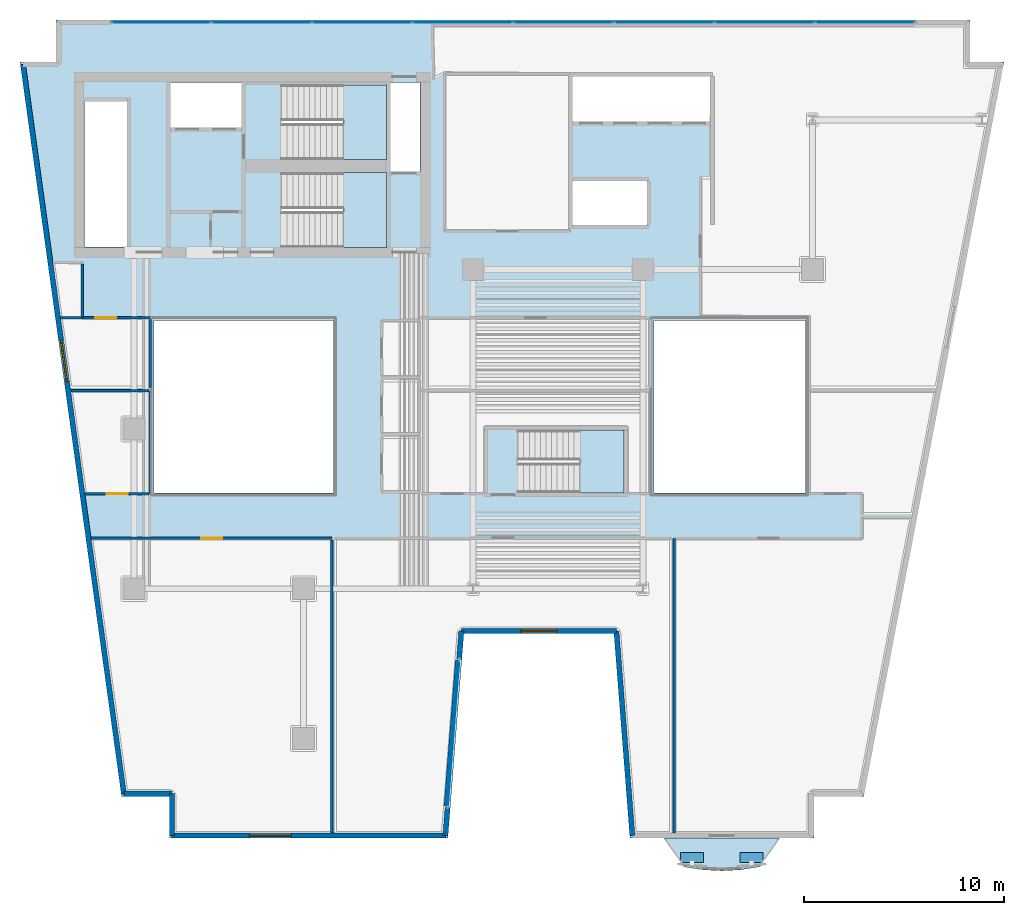
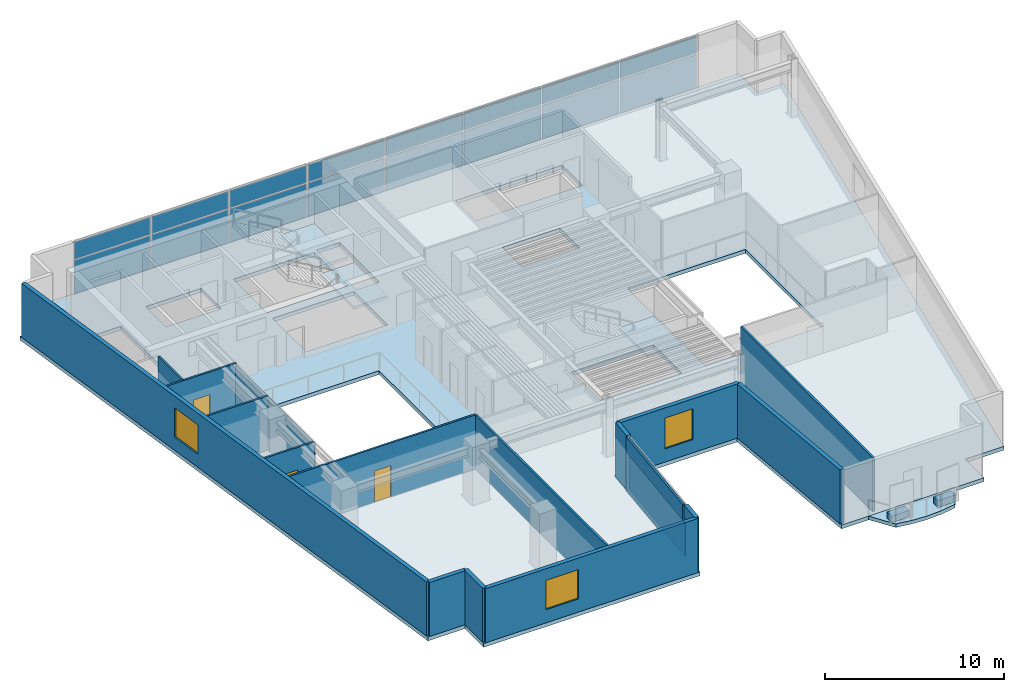
# One storey, part 5 of 13: 20 plates, 18 walls, 5 slabs, 3 doors, 3 windows, 6 openings, 5 elements without a shape of their own.
"""IFC4 building model written with IfcOpenShell, lengths in metres."""

from ifc_helpers import new_model, si_unit, direction, frame, frame_2d, origin, origin_2d, place, context, subcontext, project, spatial, polyline, rectangle, outline, extrude, material, layer, layer_set, type_object, element, fill, aggregate, save


model = new_model("IFC4")

# Units and contexts
model_context = context("Model", 3, precision=1e-05, world=origin(), true_north=direction((0.0, 1.0)))
body_context = subcontext(model_context, "Body", "Model", "MODEL_VIEW")
ifc_project = project(units=[si_unit("LENGTHUNIT", "METRE"), si_unit("AREAUNIT", "SQUARE_METRE"), si_unit("VOLUMEUNIT", "CUBIC_METRE"), si_unit("PLANEANGLEUNIT", "RADIAN"), si_unit("MASSUNIT", "GRAM", prefix="KILO")], contexts=[model_context])

# Site, building, storey
site_placement = place(None, origin())
site = spatial("IfcSite", under=ifc_project, at=site_placement, CompositionType="ELEMENT")
building_placement = place(site_placement, origin())
building = spatial("IfcBuilding", under=site, at=building_placement, Name="Caeloran Harvest Quay", CompositionType="ELEMENT")
storey_placement = place(building_placement, frame((0.0, 0.0, 143.0)))
storey = spatial("IfcBuildingStorey", under=building, at=storey_placement, Name="L33", CompositionType="ELEMENT", Elevation=143.0)

# Slab
ifc_material_1 = material(Name="Concrete C50/60", Category="concrete")
ifc_layer_1 = layer(ifc_material_1, 0.239990234375, Name="Concrete C50/60")
ifc_layer_set_1 = layer_set([ifc_layer_1], Name="Concrete C50/60")
slab_type_1 = type_object("IfcSlabType", Name="BALCONY-BL-240", PredefinedType="FLOOR", material=ifc_layer_set_1)
slab_1_placement = place(storey_placement, frame((0.0, 0.0, -0.239990234375)))
element("IfcSlab", 1, at=slab_1_placement, inside=storey, type_object=slab_type_1, Name="L33 Scalloped Cantilevered Planted Balcony Slab", PredefinedType="FLOOR", context=body_context, shape_type="SweptSolid", body=[
    extrude(outline(polyline([(39.869873046875, 1.070556640625), (38.913818359375, 0.9169921875), (37.95751953125, 0.861083984375), (37.001220703125, 0.9169921875), (36.045166015625, 1.070556640625), (35.102294921875, 2.5), (40.812744140625, 2.5), (39.869873046875, 1.070556640625)])), origin(), (0.0, 0.0, 1.0), 0.239990234375),
])

# Curtain wall, plates
ifc_material_2 = material(Name="Aluminium 6063-T6 and Low-E Glazing", Category="aluminium")
ifc_layer_2 = layer(ifc_material_2, 0.18994140625, Name="Aluminium 6063-T6 and Low-E Glazing")
ifc_layer_set_2 = layer_set([ifc_layer_2], Name="Aluminium 6063-T6 and Low-E Glazing")
curtain_wall_type = type_object("IfcCurtainWallType", Name="CW-SYS-CW-3", PredefinedType="USERDEFINED", material=ifc_layer_set_2)
curtain_wall_1_placement = place(storey_placement, origin())
curtain_wall_1 = element("IfcCurtainWall", 2, at=curtain_wall_1_placement, inside=storey, type_object=curtain_wall_type, Name="L33 Unitised Curtain Wall CW-3 Run 6", ObjectType="CURTAIN_WALL", PredefinedType="USERDEFINED")
ifc_material_3 = material(Name="Low-E Double Glazed Vision Glass Unit", Category="glass")
ifc_layer_3 = layer(ifc_material_3, 0.035888671875, Name="Low-E Double Glazed Vision Glass Unit")
ifc_layer_set_3 = layer_set([ifc_layer_3], Name="Low-E Double Glazed Vision Glass Unit")
plate_type_1 = type_object("IfcPlateType", Name="CW-VISION-PANEL", PredefinedType="CURTAIN_PANEL", material=ifc_layer_set_3)
plate_1_placement = place(storey_placement, frame((9.871337890625, 43.3701171875, 0.080078125), z_axis=(0.0, 0.0, 1.0), x_axis=(1.0, 0.0, 0.0)))
plate_1 = element("IfcPlate", 3, at=plate_1_placement, type_object=plate_type_1, Name="CW-3 panel 1.1", PredefinedType="CURTAIN_PANEL", context=body_context, shape_type="SweptSolid", body=[
    extrude(rectangle(XDim=4.922607421875, YDim=0.035888671875, at=origin_2d()), origin(), (0.0, 0.0, 1.0), 2.280029296875),
])
plate_2_placement = place(storey_placement, frame((9.871337890625, 43.3701171875, 2.43994140625), z_axis=(0.0, 0.0, 1.0), x_axis=(1.0, 0.0, 0.0)))
plate_2 = element("IfcPlate", 4, at=plate_2_placement, type_object=plate_type_1, Name="CW-3 panel 1.2", PredefinedType="CURTAIN_PANEL", context=body_context, shape_type="SweptSolid", body=[
    extrude(rectangle(XDim=4.922607421875, YDim=0.035888671875, at=origin_2d()), origin(), (0.0, 0.0, 1.0), 1.169921875),
])
plate_3_placement = place(storey_placement, frame((14.893798828125, 43.3701171875, 0.080078125), z_axis=(0.0, 0.0, 1.0), x_axis=(1.0, 0.0, 0.0)))
plate_3 = element("IfcPlate", 5, at=plate_3_placement, type_object=plate_type_1, Name="CW-3 panel 2.1", PredefinedType="CURTAIN_PANEL", context=body_context, shape_type="SweptSolid", body=[
    extrude(rectangle(XDim=4.96240234375, YDim=0.035888671875, at=origin_2d()), origin(), (0.0, 0.0, 1.0), 2.280029296875),
])
plate_4_placement = place(storey_placement, frame((14.893798828125, 43.3701171875, 2.43994140625), z_axis=(0.0, 0.0, 1.0), x_axis=(1.0, 0.0, 0.0)))
plate_4 = element("IfcPlate", 6, at=plate_4_placement, type_object=plate_type_1, Name="CW-3 panel 2.2", PredefinedType="CURTAIN_PANEL", context=body_context, shape_type="SweptSolid", body=[
    extrude(rectangle(XDim=4.96240234375, YDim=0.035888671875, at=origin_2d()), origin(), (0.0, 0.0, 1.0), 1.169921875),
])
plate_5_placement = place(storey_placement, frame((19.936279296875, 43.3701171875, 0.080078125), z_axis=(0.0, 0.0, 1.0), x_axis=(1.0, 0.0, 0.0)))
plate_5 = element("IfcPlate", 7, at=plate_5_placement, type_object=plate_type_1, Name="CW-3 panel 3.1", PredefinedType="CURTAIN_PANEL", context=body_context, shape_type="SweptSolid", body=[
    extrude(rectangle(XDim=4.96240234375, YDim=0.035888671875, at=origin_2d()), origin(), (0.0, 0.0, 1.0), 2.280029296875),
])
plate_6_placement = place(storey_placement, frame((19.936279296875, 43.3701171875, 2.43994140625), z_axis=(0.0, 0.0, 1.0), x_axis=(1.0, 0.0, 0.0)))
plate_6 = element("IfcPlate", 8, at=plate_6_placement, type_object=plate_type_1, Name="CW-3 panel 3.2", PredefinedType="CURTAIN_PANEL", context=body_context, shape_type="SweptSolid", body=[
    extrude(rectangle(XDim=4.96240234375, YDim=0.035888671875, at=origin_2d()), origin(), (0.0, 0.0, 1.0), 1.169921875),
])
plate_7_placement = place(storey_placement, frame((24.978759765625, 43.3701171875, 0.080078125), z_axis=(0.0, 0.0, 1.0), x_axis=(1.0, 0.0, 0.0)))
plate_7 = element("IfcPlate", 9, at=plate_7_placement, type_object=plate_type_1, Name="CW-3 panel 4.1", PredefinedType="CURTAIN_PANEL", context=body_context, shape_type="SweptSolid", body=[
    extrude(rectangle(XDim=4.96240234375, YDim=0.035888671875, at=origin_2d()), origin(), (0.0, 0.0, 1.0), 2.280029296875),
])
plate_8_placement = place(storey_placement, frame((24.978759765625, 43.3701171875, 2.43994140625), z_axis=(0.0, 0.0, 1.0), x_axis=(1.0, 0.0, 0.0)))
plate_8 = element("IfcPlate", 10, at=plate_8_placement, type_object=plate_type_1, Name="CW-3 panel 4.2", PredefinedType="CURTAIN_PANEL", context=body_context, shape_type="SweptSolid", body=[
    extrude(rectangle(XDim=4.96240234375, YDim=0.035888671875, at=origin_2d()), origin(), (0.0, 0.0, 1.0), 1.169921875),
])
plate_9_placement = place(storey_placement, frame((30.021240234375, 43.3701171875, 0.080078125), z_axis=(0.0, 0.0, 1.0), x_axis=(1.0, 0.0, 0.0)))
plate_9 = element("IfcPlate", 11, at=plate_9_placement, type_object=plate_type_1, Name="CW-3 panel 5.1", PredefinedType="CURTAIN_PANEL", context=body_context, shape_type="SweptSolid", body=[
    extrude(rectangle(XDim=4.96240234375, YDim=0.035888671875, at=origin_2d()), origin(), (0.0, 0.0, 1.0), 2.280029296875),
])
plate_10_placement = place(storey_placement, frame((30.021240234375, 43.3701171875, 2.43994140625), z_axis=(0.0, 0.0, 1.0), x_axis=(1.0, 0.0, 0.0)))
plate_10 = element("IfcPlate", 12, at=plate_10_placement, type_object=plate_type_1, Name="CW-3 panel 5.2", PredefinedType="CURTAIN_PANEL", context=body_context, shape_type="SweptSolid", body=[
    extrude(rectangle(XDim=4.96240234375, YDim=0.035888671875, at=origin_2d()), origin(), (0.0, 0.0, 1.0), 1.169921875),
])
plate_11_placement = place(storey_placement, frame((35.063720703125, 43.3701171875, 0.080078125), z_axis=(0.0, 0.0, 1.0), x_axis=(1.0, 0.0, 0.0)))
plate_11 = element("IfcPlate", 13, at=plate_11_placement, type_object=plate_type_1, Name="CW-3 panel 6.1", PredefinedType="CURTAIN_PANEL", context=body_context, shape_type="SweptSolid", body=[
    extrude(rectangle(XDim=4.96240234375, YDim=0.035888671875, at=origin_2d()), origin(), (0.0, 0.0, 1.0), 2.280029296875),
])
plate_12_placement = place(storey_placement, frame((35.063720703125, 43.3701171875, 2.43994140625), z_axis=(0.0, 0.0, 1.0), x_axis=(1.0, 0.0, 0.0)))
plate_12 = element("IfcPlate", 14, at=plate_12_placement, type_object=plate_type_1, Name="CW-3 panel 6.2", PredefinedType="CURTAIN_PANEL", context=body_context, shape_type="SweptSolid", body=[
    extrude(rectangle(XDim=4.96240234375, YDim=0.035888671875, at=origin_2d()), origin(), (0.0, 0.0, 1.0), 1.169921875),
])
plate_13_placement = place(storey_placement, frame((40.106201171875, 43.3701171875, 0.080078125), z_axis=(0.0, 0.0, 1.0), x_axis=(1.0, 0.0, 0.0)))
plate_13 = element("IfcPlate", 15, at=plate_13_placement, type_object=plate_type_1, Name="CW-3 panel 7.1", PredefinedType="CURTAIN_PANEL", context=body_context, shape_type="SweptSolid", body=[
    extrude(rectangle(XDim=4.96240234375, YDim=0.035888671875, at=origin_2d()), origin(), (0.0, 0.0, 1.0), 2.280029296875),
])
plate_14_placement = place(storey_placement, frame((40.106201171875, 43.3701171875, 2.43994140625), z_axis=(0.0, 0.0, 1.0), x_axis=(1.0, 0.0, 0.0)))
plate_14 = element("IfcPlate", 16, at=plate_14_placement, type_object=plate_type_1, Name="CW-3 panel 7.2", PredefinedType="CURTAIN_PANEL", context=body_context, shape_type="SweptSolid", body=[
    extrude(rectangle(XDim=4.96240234375, YDim=0.035888671875, at=origin_2d()), origin(), (0.0, 0.0, 1.0), 1.169921875),
])
plate_15_placement = place(storey_placement, frame((45.128662109375, 43.3701171875, 0.080078125), z_axis=(0.0, 0.0, 1.0), x_axis=(1.0, 0.0, 0.0)))
plate_15 = element("IfcPlate", 17, at=plate_15_placement, type_object=plate_type_1, Name="CW-3 panel 8.1", PredefinedType="CURTAIN_PANEL", context=body_context, shape_type="SweptSolid", body=[
    extrude(rectangle(XDim=4.922607421875, YDim=0.035888671875, at=origin_2d()), origin(), (0.0, 0.0, 1.0), 2.280029296875),
])
plate_16_placement = place(storey_placement, frame((45.128662109375, 43.3701171875, 2.43994140625), z_axis=(0.0, 0.0, 1.0), x_axis=(1.0, 0.0, 0.0)))
plate_16 = element("IfcPlate", 18, at=plate_16_placement, type_object=plate_type_1, Name="CW-3 panel 8.2", PredefinedType="CURTAIN_PANEL", context=body_context, shape_type="SweptSolid", body=[
    extrude(rectangle(XDim=4.922607421875, YDim=0.035888671875, at=origin_2d()), origin(), (0.0, 0.0, 1.0), 1.169921875),
])
aggregate(curtain_wall_1, [plate_1, plate_2, plate_3, plate_4, plate_5, plate_6, plate_7, plate_8, plate_9, plate_10, plate_11, plate_12, plate_13, plate_14, plate_15, plate_16])

curtain_wall_2_placement = place(storey_placement, origin())
curtain_wall_2 = element("IfcCurtainWall", 19, at=curtain_wall_2_placement, inside=storey, type_object=curtain_wall_type, Name="L33 Unitised Curtain Wall CW-3 Run 15", ObjectType="CURTAIN_WALL", PredefinedType="USERDEFINED")
plate_17_placement = place(storey_placement, frame((24.509765625, 7.7548828125, 0.080078125), z_axis=(0.0, 0.0, 1.0), x_axis=(-0.077821861046, -0.996967280277, 0.0)))
plate_17 = element("IfcPlate", 20, at=plate_17_placement, type_object=plate_type_1, Name="CW-3 panel 1.1", PredefinedType="CURTAIN_PANEL", context=body_context, shape_type="SweptSolid", body=[
    extrude(rectangle(XDim=7.3212890625, YDim=0.035888671875, at=origin_2d()), origin(), (0.0, 0.0, 1.0), 2.280029296875),
])
plate_18_placement = place(storey_placement, frame((24.509765625, 7.7548828125, 2.43994140625), z_axis=(0.0, 0.0, 1.0), x_axis=(-0.077821861046, -0.996967280277, 0.0)))
plate_18 = element("IfcPlate", 21, at=plate_18_placement, type_object=plate_type_1, Name="CW-3 panel 1.2", PredefinedType="CURTAIN_PANEL", context=body_context, shape_type="SweptSolid", body=[
    extrude(rectangle(XDim=7.3212890625, YDim=0.035888671875, at=origin_2d()), origin(), (0.0, 0.0, 1.0), 1.169921875),
])
aggregate(curtain_wall_2, [plate_17, plate_18])

# Plates
ifc_material_4 = material(Name="Precast concrete C50/60", Category="concrete")
ifc_layer_4 = layer(ifc_material_4, 0.449951171875, Name="Precast concrete C50/60")
ifc_layer_set_4 = layer_set([ifc_layer_4], Name="Precast concrete C50/60")
plate_type_2 = type_object("IfcPlateType", Name="PLANTER-TROUGH-450", PredefinedType="USERDEFINED", material=ifc_layer_set_4)
for number, where, z_axis, x_axis, name in (
    (22, (39.44921875, 1.533203125, 0.0), (0.0, 0.0, 1.0), (1.0, 0.0, 0.0), "L33 Balcony Vertical-Greenery Precast PLANTER Trough 1"),
    (23, (36.4658203125, 1.533203125, 0.0), (0.0, 0.0, 1.0), (1.0, 0.0, 0.0), "L33 Balcony Vertical-Greenery Precast PLANTER Trough 2"),
):
    element("IfcPlate", number, at=place(storey_placement, frame(where, z_axis=z_axis, x_axis=x_axis)), inside=storey, type_object=plate_type_2, Name=name, ObjectType="PLANTER", PredefinedType="USERDEFINED", context=body_context, shape_type="SweptSolid", body=[
        extrude(rectangle(XDim=1.14990234375, YDim=0.47998046875, at=origin_2d()), origin(), (0.0, 0.0, 1.0), 0.449951171875),
    ])

# Slab
ifc_layer_5 = layer(ifc_material_1, 0.260009765625, Name="Concrete C50/60")
ifc_layer_set_5 = layer_set([ifc_layer_5], Name="Concrete C50/60")
slab_type_2 = type_object("IfcSlabType", Name="SLAB-FS-260", PredefinedType="FLOOR", material=ifc_layer_set_5)
slab_2_placement = place(storey_placement, frame((0.0, 0.0, -0.260009765625)))
element("IfcSlab", 24, at=slab_2_placement, inside=storey, type_object=slab_type_2, Name="L33 Structural Floor Slab", PredefinedType="FLOOR", context=body_context, shape_type="SweptSolid", body=[
    extrude(outline(polyline([(10.27001953125, 2.5), (24.22998046875, 2.5), (25.030029296875, 12.75), (32.554931640625, 12.75), (33.35498046875, 2.5), (42.570068359375, 2.5), (42.570068359375, 4.60009765625), (45.071044921875, 4.60009765625), (52.09912109375, 41.39990234375), (50.39990234375, 41.39990234375), (50.39990234375, 43.5), (4.60009765625, 43.5), (4.60009765625, 41.39990234375), (2.790283203125, 41.39990234375), (7.879638671875, 4.60009765625), (10.27001953125, 4.60009765625), (10.27001953125, 2.5)]), holes=[polyline([(27.75, 19.800048828125), (27.75, 22.949951171875), (33.050048828125, 22.949951171875), (33.050048828125, 19.800048828125), (27.75, 19.800048828125)]), polyline([(18.5, 19.800048828125), (9.5, 19.800048828125), (9.5, 28.449951171875), (18.5, 28.449951171875), (18.5, 19.800048828125)]), polyline([(42.14990234375, 19.800048828125), (34.550048828125, 19.800048828125), (34.550048828125, 28.449951171875), (42.14990234375, 28.449951171875), (42.14990234375, 19.800048828125)]), polyline([(15.89990234375, 35.85009765625), (21.14990234375, 35.85009765625), (21.14990234375, 32.10009765625), (15.89990234375, 32.10009765625), (15.89990234375, 35.85009765625)]), polyline([(30.47998046875, 33.219970703125), (30.47998046875, 35.429931640625), (34.199951171875, 35.429931640625), (34.199951171875, 33.219970703125), (30.47998046875, 33.219970703125)]), polyline([(8.159912109375, 32.1201171875), (6.02001953125, 32.1201171875), (6.02001953125, 39.419921875), (8.159912109375, 39.419921875), (8.159912109375, 32.1201171875)]), polyline([(22.830078125, 35.919921875), (21.35009765625, 35.919921875), (21.35009765625, 40.3798828125), (22.830078125, 40.3798828125), (22.830078125, 35.919921875)]), polyline([(15.89990234375, 36.5), (15.89990234375, 40.25), (21.14990234375, 40.25), (21.14990234375, 36.5), (15.89990234375, 36.5)]), polyline([(10.320068359375, 38.1201171875), (10.320068359375, 40.3798828125), (13.89990234375, 40.3798828125), (13.89990234375, 38.1201171875), (10.320068359375, 38.1201171875)]), polyline([(30.47998046875, 38.419921875), (30.47998046875, 40.679931640625), (37.3798828125, 40.679931640625), (37.3798828125, 38.419921875), (30.47998046875, 38.419921875)])]), origin(), (0.0, 0.0, 1.0), 0.260009765625),
])

# Stair, slab
stair_type_1 = type_object("IfcStairType", Name="STAIR-STC-180", PredefinedType="HALF_TURN_STAIR", material=ifc_material_1)
stair_1_placement = place(storey_placement, origin())
stair_1 = element("IfcStair", 25, at=stair_1_placement, inside=storey, type_object=stair_type_1, Name="L33 Core Pressurized Exit Stair ST-C1", PredefinedType="HALF_TURN_STAIR")
ifc_layer_6 = layer(ifc_material_1, 0.219970703125, Name="Concrete C50/60")
ifc_layer_set_6 = layer_set([ifc_layer_6], Name="Concrete C50/60")
slab_type_3 = type_object("IfcSlabType", Name="STAIR-LANDING-220", PredefinedType="LANDING", material=ifc_layer_set_6)
slab_3_placement = place(storey_placement, frame((0.0, 0.0, 1.77490234375)))
slab_3 = element("IfcSlab", 26, at=slab_3_placement, type_object=slab_type_3, Name="ST-C1 landing 1", PredefinedType="LANDING", context=body_context, shape_type="SweptSolid", body=[
    extrude(outline(polyline([(18.97998046875, 36.5), (21.14990234375, 36.5), (21.14990234375, 40.25), (18.97998046875, 40.25), (18.97998046875, 36.5)])), origin(), (0.0, 0.0, 1.0), 0.2001953125),
])
aggregate(stair_1, [slab_3])

stair_2_placement = place(storey_placement, origin())
stair_2 = element("IfcStair", 27, at=stair_2_placement, inside=storey, type_object=stair_type_1, Name="L33 Core Pressurized Exit Stair ST-C2", PredefinedType="HALF_TURN_STAIR")
slab_4_placement = place(storey_placement, frame((0.0, 0.0, 1.77490234375)))
slab_4 = element("IfcSlab", 28, at=slab_4_placement, type_object=slab_type_3, Name="ST-C2 landing 1", PredefinedType="LANDING", context=body_context, shape_type="SweptSolid", body=[
    extrude(outline(polyline([(18.97998046875, 32.10009765625), (21.14990234375, 32.10009765625), (21.14990234375, 35.85009765625), (18.97998046875, 35.85009765625), (18.97998046875, 32.10009765625)])), origin(), (0.0, 0.0, 1.0), 0.2001953125),
])
aggregate(stair_2, [slab_4])

stair_type_2 = type_object("IfcStairType", Name="STAIR-STW-150", PredefinedType="HALF_TURN_STAIR", material=ifc_material_1)
stair_3_placement = place(storey_placement, origin())
stair_3 = element("IfcStair", 29, at=stair_3_placement, inside=storey, type_object=stair_type_2, Name="L33 East Wing Protected Exit Stair ST-W1", PredefinedType="HALF_TURN_STAIR")
slab_5_placement = place(storey_placement, frame((0.0, 0.0, 1.77490234375)))
slab_5 = element("IfcSlab", 30, at=slab_5_placement, type_object=slab_type_3, Name="ST-W1 landing 1", PredefinedType="LANDING", context=body_context, shape_type="SweptSolid", body=[
    extrude(outline(polyline([(30.830078125, 19.800048828125), (33.050048828125, 19.800048828125), (33.050048828125, 22.949951171875), (30.830078125, 22.949951171875), (30.830078125, 19.800048828125)])), origin(), (0.0, 0.0, 1.0), 0.2001953125),
])
aggregate(stair_3, [slab_5])

# Walls
ifc_layer_7 = layer(ifc_material_4, 0.260009765625, Name="Precast concrete C50/60")
ifc_layer_set_7 = layer_set([ifc_layer_7], Name="Precast concrete C50/60")
wall_type_1 = type_object("IfcWallType", Name="ENV-WALL-EW-260", PredefinedType="STANDARD", material=ifc_layer_set_7)
wall_1_placement = place(storey_placement, frame((10.39990234375, 2.6298828125, 0.0), z_axis=(0.0, 0.0, 1.0), x_axis=(0.0, 1.0, 0.0)))
element("IfcWall", 31, at=wall_1_placement, inside=storey, type_object=wall_type_1, Name="L33 Exterior Precast Concrete Facade Wall 1", PredefinedType="STANDARD", context=body_context, shape_type="SweptSolid", body=[
    extrude(rectangle(XDim=2.10009765625, YDim=0.260009765625, at=frame_2d((1.050048828125, 0.0))), origin(), (0.0, 0.0, 1.0), 3.68994140625),
])
wall_2_placement = place(storey_placement, frame((10.39990234375, 4.72998046875, 0.0), z_axis=(0.0, 0.0, 1.0), x_axis=(-1.0, 0.0, 0.0)))
element("IfcWall", 32, at=wall_2_placement, inside=storey, type_object=wall_type_1, Name="L33 Exterior Precast Concrete Facade Wall 2", PredefinedType="STANDARD", context=body_context, shape_type="SweptSolid", body=[
    extrude(rectangle(XDim=2.406982421875, YDim=0.260009765625, at=frame_2d((1.20361328125, 0.0))), origin(), (0.0, 0.0, 1.0), 3.68994140625),
])

# Wall, opening, window
wall_3_placement = place(storey_placement, frame((7.992919921875, 4.72998046875, 0.0), z_axis=(0.0, 0.0, 1.0), x_axis=(-0.136989009016, 0.990572567462, 0.0)))
wall_3 = element("IfcWall", 33, at=wall_3_placement, inside=storey, type_object=wall_type_1, Name="L33 Exterior Precast Concrete Facade Wall 3", PredefinedType="STANDARD", context=body_context, shape_type="SweptSolid", body=[
    extrude(rectangle(XDim=36.8876953125, YDim=0.260009765625, at=frame_2d((18.44384765625, 0.0))), origin(), (0.0, 0.0, 1.0), 3.68994140625),
])
opening_1_placement = place(wall_3_placement, frame((20.848388671875, 0.0, 0.89990234375)))
opening_1 = element("IfcOpeningElement", 34, at=opening_1_placement, cuts=wall_3, Name="Opening W-06", PredefinedType="OPENING", context=body_context, shape_type="SweptSolid", body=[
    extrude(rectangle(XDim=2.10009765625, YDim=2.0, at=frame_2d((1.050048828125, 1.0))), frame((0.0, 0.14013671875, 0.0), z_axis=(0.0, -1.0, 0.0), x_axis=(1.0, 0.0, 0.0)), (0.0, 0.0, 1.0), 0.280029296875),
])
ifc_material_5 = material(Name="Aluminium-Framed Low-E Laminated Glass", Category="aluminium")
window_type_1 = type_object("IfcWindowType", Name="WIN-W-06", PartitioningType="DOUBLE_PANEL_VERTICAL", PredefinedType="WINDOW", material=ifc_material_5)
window_1_placement = place(opening_1_placement, origin())
window_1 = element("IfcWindow", 35, at=window_1_placement, inside=storey, type_object=window_type_1, Name="L33 Facade Punched Window W-06", OverallHeight=2.0, OverallWidth=2.10009765625, PartitioningType="DOUBLE_PANEL_VERTICAL", PredefinedType="WINDOW", context=body_context, shape_type="SweptSolid", body=[
    extrude(rectangle(XDim=2.10009765625, YDim=2.0, at=frame_2d((1.050048828125, 1.0))), frame((0.0, 0.030029296875, 0.0), z_axis=(0.0, -1.0, 0.0), x_axis=(1.0, 0.0, 0.0)), (0.0, 0.0, 1.0), 0.06005859375),
])
fill(opening_1, window_1)

# Wall
wall_4_placement = place(storey_placement, frame((33.47509765625, 2.6298828125, 0.0), z_axis=(0.0, 0.0, 1.0), x_axis=(-0.077793257511, 0.996969512616, 0.0)))
element("IfcWall", 36, at=wall_4_placement, inside=storey, type_object=wall_type_1, Name="L33 Exterior Precast Concrete Facade Wall 13", PredefinedType="STANDARD", context=body_context, shape_type="SweptSolid", body=[
    extrude(rectangle(XDim=10.28125, YDim=0.260009765625, at=frame_2d((5.140625, 0.0))), origin(), (0.0, 0.0, 1.0), 3.68994140625),
])

# Wall, opening, window
wall_5_placement = place(storey_placement, frame((32.67529296875, 12.8798828125, 0.0), z_axis=(0.0, 0.0, 1.0), x_axis=(-1.0, 0.0, 0.0)))
wall_5 = element("IfcWall", 37, at=wall_5_placement, inside=storey, type_object=wall_type_1, Name="L33 Exterior Precast Concrete Facade Wall 14", PredefinedType="STANDARD", context=body_context, shape_type="SweptSolid", body=[
    extrude(rectangle(XDim=7.765380859375, YDim=0.260009765625, at=frame_2d((3.8828125, 0.0))), origin(), (0.0, 0.0, 1.0), 3.68994140625),
])
opening_2_placement = place(wall_5_placement, frame((2.98291015625, 0.0, 0.89990234375)))
opening_2 = element("IfcOpeningElement", 38, at=opening_2_placement, cuts=wall_5, Name="Opening W-01", PredefinedType="OPENING", context=body_context, shape_type="SweptSolid", body=[
    extrude(rectangle(XDim=1.800048828125, YDim=2.10009765625, at=frame_2d((0.89990234375, 1.050048828125))), frame((0.0, 0.14013671875, 0.0), z_axis=(0.0, -1.0, 0.0), x_axis=(1.0, 0.0, 0.0)), (0.0, 0.0, 1.0), 0.280029296875),
])
window_type_2 = type_object("IfcWindowType", Name="WIN-W-01", PartitioningType="SINGLE_PANEL", PredefinedType="WINDOW", material=ifc_material_5)
window_2_placement = place(opening_2_placement, origin())
window_2 = element("IfcWindow", 39, at=window_2_placement, inside=storey, type_object=window_type_2, Name="L33 Facade Punched Window W-01", OverallHeight=2.10009765625, OverallWidth=1.800048828125, PartitioningType="SINGLE_PANEL", PredefinedType="WINDOW", context=body_context, shape_type="SweptSolid", body=[
    extrude(rectangle(XDim=1.800048828125, YDim=2.10009765625, at=frame_2d((0.89990234375, 1.050048828125))), frame((0.0, 0.030029296875, 0.0), z_axis=(0.0, -1.0, 0.0), x_axis=(1.0, 0.0, 0.0)), (0.0, 0.0, 1.0), 0.06005859375),
])
fill(opening_2, window_2)

# Walls
for number, where, z_axis, x_axis, name in (
    (40, (24.909912109375, 12.8798828125, 0.0), (0.0, 0.0, 1.0), (-0.077949956455, -0.996957273051, 0.0), "L33 Exterior Facade Corner Pier Wall 15A"),
    (41, (24.21875, 4.025634765625, 0.0), (0.0, 0.0, 1.0), (-0.077776627829, -0.996970810086, 0.0), "L33 Exterior Facade Corner Pier Wall 15B"),
):
    element("IfcWall", number, at=place(storey_placement, frame(where, z_axis=z_axis, x_axis=x_axis)), inside=storey, type_object=wall_type_1, Name=name, PredefinedType="STANDARD", context=body_context, shape_type="SweptSolid", body=[
        extrude(rectangle(XDim=1.39990234375, YDim=0.260009765625, at=frame_2d((0.699951171875, 0.0))), origin(), (0.0, 0.0, 1.0), 3.68994140625),
    ])

# Wall, opening, window
wall_6_placement = place(storey_placement, frame((24.10986328125, 2.6298828125, 0.0), z_axis=(0.0, 0.0, 1.0), x_axis=(-1.0, 0.0, 0.0)))
wall_6 = element("IfcWall", 42, at=wall_6_placement, inside=storey, type_object=wall_type_1, Name="L33 Exterior Precast Concrete Facade Wall 16", PredefinedType="STANDARD", context=body_context, shape_type="SweptSolid", body=[
    extrude(rectangle(XDim=13.7099609375, YDim=0.260009765625, at=frame_2d((6.85498046875, 0.0))), origin(), (0.0, 0.0, 1.0), 3.68994140625),
])
opening_3_placement = place(wall_6_placement, frame((7.72412109375, 0.0, 0.89990234375)))
opening_3 = element("IfcOpeningElement", 43, at=opening_3_placement, cuts=wall_6, Name="Opening W-06", PredefinedType="OPENING", context=body_context, shape_type="SweptSolid", body=[
    extrude(rectangle(XDim=2.10009765625, YDim=2.0, at=frame_2d((1.050048828125, 1.0))), frame((0.0, 0.14013671875, 0.0), z_axis=(0.0, -1.0, 0.0), x_axis=(1.0, 0.0, 0.0)), (0.0, 0.0, 1.0), 0.280029296875),
])
window_3_placement = place(opening_3_placement, origin())
window_3 = element("IfcWindow", 44, at=window_3_placement, inside=storey, type_object=window_type_1, Name="L33 Facade Punched Window W-06", OverallHeight=2.0, OverallWidth=2.10009765625, PartitioningType="DOUBLE_PANEL_VERTICAL", PredefinedType="WINDOW", context=body_context, shape_type="SweptSolid", body=[
    extrude(rectangle(XDim=2.10009765625, YDim=2.0, at=frame_2d((1.050048828125, 1.0))), frame((0.0, 0.030029296875, 0.0), z_axis=(0.0, -1.0, 0.0), x_axis=(1.0, 0.0, 0.0)), (0.0, 0.0, 1.0), 0.06005859375),
])
fill(opening_3, window_3)

# Wall, opening, door
ifc_material_6 = material(Name="Twin-Stud Mineral-Wool Acoustic Gypsum Partition", Category="gypsum")
ifc_layer_8 = layer(ifc_material_6, 0.125, Name="Twin-Stud Mineral-Wool Acoustic Gypsum Partition")
ifc_layer_set_8 = layer_set([ifc_layer_8], Name="Twin-Stud Mineral-Wool Acoustic Gypsum Partition")
wall_type_2 = type_object("IfcWallType", Name="INT-WALL-PW-125", PredefinedType="PARTITIONING", material=ifc_layer_set_8)
wall_7_placement = place(storey_placement, frame((6.3603515625, 17.52001953125, 0.0), z_axis=(0.0, 0.0, 1.0), x_axis=(1.0, 0.0, 0.0)))
wall_7 = element("IfcWall", 45, at=wall_7_placement, inside=storey, type_object=wall_type_2, Name="Cellular Agriculture Bioprocess Laboratory Partition Wall", PredefinedType="PARTITIONING", context=body_context, shape_type="SweptSolid", body=[
    extrude(rectangle(XDim=12.0595703125, YDim=0.125, at=frame_2d((6.02978515625, 0.0))), origin(), (0.0, 0.0, 1.0), 3.68994140625),
])
opening_4_placement = place(wall_7_placement, frame((5.5048828125, 0.0, 0.0)))
opening_4 = element("IfcOpeningElement", 46, at=opening_4_placement, cuts=wall_7, Name="Opening ID-03", PredefinedType="OPENING", context=body_context, shape_type="SweptSolid", body=[
    extrude(rectangle(XDim=1.050048828125, YDim=2.14990234375, at=frame_2d((0.52490234375, 1.074951171875))), frame((0.0, 0.072509765625, 0.0), z_axis=(0.0, -1.0, 0.0), x_axis=(1.0, 0.0, 0.0)), (0.0, 0.0, 1.0), 0.14501953125),
])
ifc_material_7 = material(Name="FSC Solid-Core Oak Timber Leaf", Category="wood")
door_type = type_object("IfcDoorType", Name="INTDOOR-ID-03", OperationType="NOTDEFINED", PredefinedType="DOOR", material=ifc_material_7)
door_1_placement = place(opening_4_placement, origin())
door_1 = element("IfcDoor", 47, at=door_1_placement, inside=storey, type_object=door_type, Name="Cellular Agriculture Bioprocess Laboratory Access Door", OperationType="SINGLE_SWING_LEFT", OverallHeight=2.14990234375, OverallWidth=1.050048828125, PredefinedType="DOOR", context=body_context, shape_type="SweptSolid", body=[
    extrude(rectangle(XDim=1.050048828125, YDim=2.14990234375, at=frame_2d((0.52490234375, 1.074951171875))), frame((0.0, 0.02490234375, 0.0), z_axis=(0.0, -1.0, 0.0), x_axis=(1.0, 0.0, 0.0)), (0.0, 0.0, 1.0), 0.050048828125),
])
fill(opening_4, door_1)

# Walls
wall_8_placement = place(storey_placement, frame((18.419921875, 17.452392578125, 0.0), z_axis=(0.0, 0.0, 1.0), x_axis=(0.0, -1.0, 0.0)))
element("IfcWall", 48, at=wall_8_placement, inside=storey, type_object=wall_type_2, Name="Cellular Agriculture Bioprocess Laboratory Partition Wall", PredefinedType="PARTITIONING", context=body_context, shape_type="SweptSolid", body=[
    extrude(rectangle(XDim=14.6875, YDim=0.125, at=frame_2d((7.34375, 0.0))), origin(), (0.0, 0.0, 1.0), 3.68994140625),
])
wall_9_placement = place(storey_placement, frame((35.580078125, 2.764892578125, 0.0), z_axis=(0.0, 0.0, 1.0), x_axis=(0.0, 1.0, 0.0)))
element("IfcWall", 49, at=wall_9_placement, inside=storey, type_object=wall_type_2, Name="Food Texture Sensory Laboratory Partition Wall", PredefinedType="PARTITIONING", context=body_context, shape_type="SweptSolid", body=[
    extrude(rectangle(XDim=14.755126953125, YDim=0.125, at=frame_2d((7.37744140625, 0.0))), origin(), (0.0, 0.0, 1.0), 3.68994140625),
])
wall_10_placement = place(storey_placement, frame((24.665771484375, 11.419921875, 0.0), z_axis=(0.0, 0.0, 1.0), x_axis=(-0.077816821526, -0.996967673642, 0.0)))
element("IfcWall", 50, at=wall_10_placement, inside=storey, type_object=wall_type_2, Name="Fermentation Pilot Laboratory Partition Wall", PredefinedType="PARTITIONING", context=body_context, shape_type="SweptSolid", body=[
    extrude(rectangle(XDim=7.33203125, YDim=0.125, at=frame_2d((3.666015625, 0.0))), origin(), (0.0, 0.0, 1.0), 3.68994140625),
])
wall_11_placement = place(storey_placement, frame((9.320068359375, 24.919921875, 0.0), z_axis=(0.0, 0.0, 1.0), x_axis=(0.0, -1.0, 0.0)))
element("IfcWall", 51, at=wall_11_placement, inside=storey, type_object=wall_type_2, Name="Design Thinking Seminar Hall Partition Wall", PredefinedType="PARTITIONING", context=body_context, shape_type="SweptSolid", body=[
    extrude(rectangle(XDim=5.169921875, YDim=0.125, at=frame_2d((2.5849609375, 0.0))), origin(), (0.0, 0.0, 1.0), 3.47509765625),
])

# Wall, opening, door
wall_12_placement = place(storey_placement, frame((9.25244140625, 19.75, 0.0), z_axis=(0.0, 0.0, 1.0), x_axis=(-1.0, 0.0, 0.0)))
wall_12 = element("IfcWall", 52, at=wall_12_placement, inside=storey, type_object=wall_type_2, Name="Design Thinking Seminar Hall Partition Wall", PredefinedType="PARTITIONING", context=body_context, shape_type="SweptSolid", body=[
    extrude(rectangle(XDim=3.200439453125, YDim=0.125, at=frame_2d((1.60009765625, 0.0))), origin(), (0.0, 0.0, 1.0), 3.68994140625),
])
opening_5_placement = place(wall_12_placement, frame((1.0751953125, 0.0, 0.0)))
opening_5 = element("IfcOpeningElement", 53, at=opening_5_placement, cuts=wall_12, Name="Opening ID-03", PredefinedType="OPENING", context=body_context, shape_type="SweptSolid", body=[
    extrude(rectangle(XDim=1.050048828125, YDim=2.14990234375, at=frame_2d((0.52490234375, 1.074951171875))), frame((0.0, 0.072509765625, 0.0), z_axis=(0.0, -1.0, 0.0), x_axis=(1.0, 0.0, 0.0)), (0.0, 0.0, 1.0), 0.14501953125),
])
door_2_placement = place(opening_5_placement, origin())
door_2 = element("IfcDoor", 54, at=door_2_placement, inside=storey, type_object=door_type, Name="Design Thinking Seminar Hall Access Door", OperationType="SINGLE_SWING_LEFT", OverallHeight=2.14990234375, OverallWidth=1.050048828125, PredefinedType="DOOR", context=body_context, shape_type="SweptSolid", body=[
    extrude(rectangle(XDim=1.050048828125, YDim=2.14990234375, at=frame_2d((0.52490234375, 1.074951171875))), frame((0.0, 0.02490234375, 0.0), z_axis=(0.0, -1.0, 0.0), x_axis=(1.0, 0.0, 0.0)), (0.0, 0.0, 1.0), 0.050048828125),
])
fill(opening_5, door_2)

# Walls
wall_13_placement = place(storey_placement, frame((5.3369140625, 24.919921875, 0.0), z_axis=(0.0, 0.0, 1.0), x_axis=(1.0, 0.0, 0.0)))
element("IfcWall", 55, at=wall_13_placement, inside=storey, type_object=wall_type_2, Name="Design Thinking Seminar Hall Partition Wall", PredefinedType="PARTITIONING", context=body_context, shape_type="SweptSolid", body=[
    extrude(rectangle(XDim=3.91552734375, YDim=0.125, at=frame_2d((1.957763671875, 0.0))), origin(), (0.0, 0.0, 1.0), 3.68994140625),
])
wall_14_placement = place(storey_placement, frame((5.919921875, 31.282470703125, 0.0), z_axis=(0.0, 0.0, 1.0), x_axis=(0.0, -1.0, 0.0)))
element("IfcWall", 56, at=wall_14_placement, inside=storey, type_object=wall_type_2, Name="Cellular Agriculture Bioprocess Laboratory 8 Partition Wall", PredefinedType="PARTITIONING", context=body_context, shape_type="SweptSolid", body=[
    extrude(rectangle(XDim=2.682373046875, YDim=0.125, at=frame_2d((1.34130859375, 0.0))), origin(), (0.0, 0.0, 1.0), 3.68994140625),
])

# Wall, opening, door
wall_15_placement = place(storey_placement, frame((4.832275390625, 28.570068359375, 0.0), z_axis=(0.0, 0.0, 1.0), x_axis=(1.0, 0.0, 0.0)))
wall_15 = element("IfcWall", 57, at=wall_15_placement, inside=storey, type_object=wall_type_2, Name="Cellular Agriculture Bioprocess Laboratory 8 Partition Wall", PredefinedType="PARTITIONING", context=body_context, shape_type="SweptSolid", body=[
    extrude(rectangle(XDim=4.48779296875, YDim=0.125, at=frame_2d((2.243896484375, 0.0))), origin(), (0.0, 0.0, 1.0), 3.68994140625),
])
opening_6_placement = place(wall_15_placement, frame((1.718994140625, 0.0, 0.0)))
opening_6 = element("IfcOpeningElement", 58, at=opening_6_placement, cuts=wall_15, Name="Opening ID-03", PredefinedType="OPENING", context=body_context, shape_type="SweptSolid", body=[
    extrude(rectangle(XDim=1.050048828125, YDim=2.14990234375, at=frame_2d((0.52490234375, 1.074951171875))), frame((0.0, 0.072509765625, 0.0), z_axis=(0.0, -1.0, 0.0), x_axis=(1.0, 0.0, 0.0)), (0.0, 0.0, 1.0), 0.14501953125),
])
door_3_placement = place(opening_6_placement, origin())
door_3 = element("IfcDoor", 59, at=door_3_placement, inside=storey, type_object=door_type, Name="Cellular Agriculture Bioprocess Laboratory 8 Access Door", OperationType="SINGLE_SWING_RIGHT", OverallHeight=2.14990234375, OverallWidth=1.050048828125, PredefinedType="DOOR", context=body_context, shape_type="SweptSolid", body=[
    extrude(rectangle(XDim=1.050048828125, YDim=2.14990234375, at=frame_2d((0.52490234375, 1.074951171875))), frame((0.0, 0.02490234375, 0.0), z_axis=(0.0, -1.0, 0.0), x_axis=(1.0, 0.0, 0.0)), (0.0, 0.0, 1.0), 0.050048828125),
])
fill(opening_6, door_3)

# Wall
wall_16_placement = place(storey_placement, frame((9.320068359375, 28.50244140625, 0.0), z_axis=(0.0, 0.0, 1.0), x_axis=(0.0, -1.0, 0.0)))
element("IfcWall", 60, at=wall_16_placement, inside=storey, type_object=wall_type_2, Name="Cellular Agriculture Bioprocess Laboratory 8 Partition Wall", PredefinedType="PARTITIONING", context=body_context, shape_type="SweptSolid", body=[
    extrude(rectangle(XDim=3.42236328125, YDim=0.125, at=frame_2d((1.711181640625, 0.0))), origin(), (0.0, 0.0, 1.0), 3.47509765625),
])

save(model, "model.ifc")
